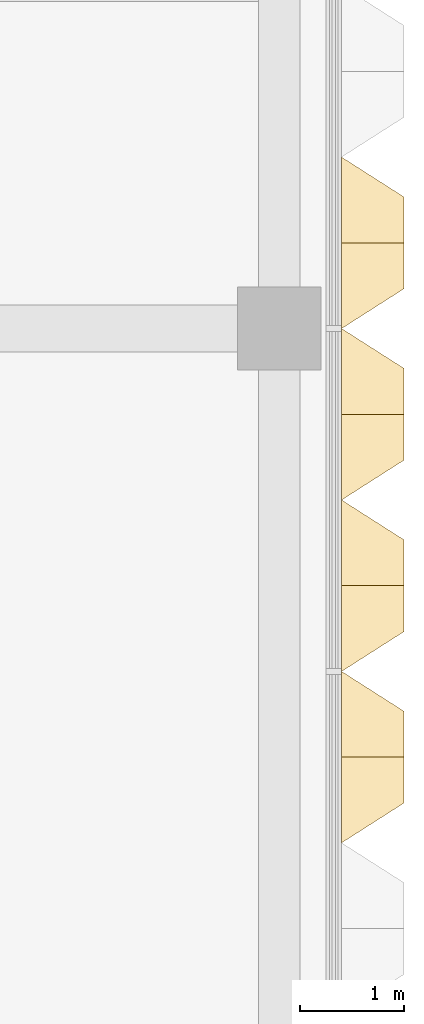
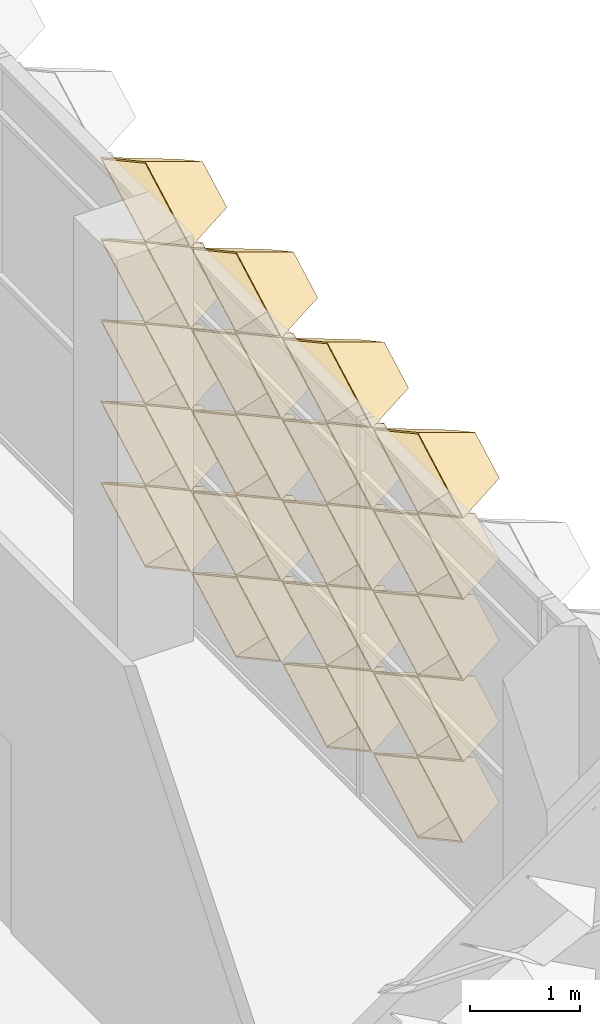
# One storey, part 32 of 39: 20 coverings.
"""IFC4 building model written with IfcOpenShell, lengths in metres."""

import ifcopenshell
import ifcopenshell.guid

model = None  # the IFC model being written
_history = None  # IfcOwnerHistory: only IFC2X3 demands one
_inside = {}  # id of a spatial element -> (the spatial element, [elements in it])
_under = {}  # id of a project, library or spatial element -> (it, [spatial elements below it])
_declared = {}  # id of a project -> (the project, [libraries it declares])
_typed = {}  # id of a type object -> (the type object, [elements of that type])
_made_of = {}  # id of a material, layer set ... -> (it, [elements and type objects made of it])


def new_model(schema):
    """Start an empty IFC model of exactly this schema.

    Asked for "IFC4X3", IfcOpenShell would pick the latest addendum, in which some entities
    have other attributes; the version numbers below select the first issue.
    IFC2X3 requires an IfcOwnerHistory on every rooted entity: one is made here for all.
    """
    global model, _history
    if schema == "IFC4X3":
        model = ifcopenshell.file(schema_version=(4, 3, 0, 0))
    else:
        model = ifcopenshell.file(schema=schema)
    _inside.clear()
    _under.clear()
    _declared.clear()
    _typed.clear()
    _made_of.clear()
    _history = None
    if model.schema == "IFC2X3":
        org = make("IfcOrganization", Name="unknown")
        user = make(
            "IfcPersonAndOrganization",
            ThePerson=make("IfcPerson", FamilyName="unknown"),
            TheOrganization=org,
        )
        app = make(
            "IfcApplication",
            ApplicationDeveloper=org,
            Version="unknown",
            ApplicationFullName="unknown",
            ApplicationIdentifier="unknown",
        )
        _history = make(
            "IfcOwnerHistory",
            OwningUser=user,
            OwningApplication=app,
            ChangeAction="ADDED",
            CreationDate=0,
        )
    return model


def make(cls, **values):
    """One entity of the class cls with the attributes given. An attribute that is None is left unset."""
    return model.create_entity(
        cls, **{name: value for name, value in values.items() if value is not None}
    )


def entity(cls, *values):
    """Any entity or typed value of the class cls, its attributes in the order of the schema. None: left unset."""
    e = model.create_entity(cls)
    for i, value in enumerate(values):
        if value is not None:
            e[i] = value
    return e


def rooted(cls, **values):
    """An entity with a GlobalId (a new one), such as an element, a storey or a relation."""
    return make(cls, GlobalId=ifcopenshell.guid.new(), OwnerHistory=_history, **values)


def si_unit(unit_type, name, prefix=None):
    """IfcSIUnit, for example si_unit("LENGTHUNIT", "METRE", prefix="MILLI")."""
    return make("IfcSIUnit", UnitType=unit_type, Prefix=prefix, Name=name)


def assignment(units):
    """IfcUnitAssignment: the units of a project."""
    return None if units is None else make("IfcUnitAssignment", Units=units)


def point(xyz):
    """IfcCartesianPoint."""
    return None if xyz is None else make("IfcCartesianPoint", Coordinates=xyz)


def direction(xyz):
    """IfcDirection."""
    return None if xyz is None else make("IfcDirection", DirectionRatios=xyz)


def frame(location, z_axis=None, x_axis=None):
    """IfcAxis2Placement3D, a coordinate frame: its origin and axes. An axis left out is left unset."""
    return make(
        "IfcAxis2Placement3D",
        Location=point(location),
        Axis=direction(z_axis),
        RefDirection=direction(x_axis),
    )


def origin():
    """The frame at (0, 0, 0) with its axes left unset."""
    return frame((0.0, 0.0, 0.0))


def place(relative_to, where):
    """IfcLocalPlacement: puts the frame where relative to a parent placement (None: the world)."""
    return make(
        "IfcLocalPlacement", PlacementRelTo=relative_to, RelativePlacement=where
    )


def context(
    kind, dimensions, precision=None, world=None, true_north=None, identifier=None
):
    """IfcGeometricRepresentationContext, for example the 3D "Model" context."""
    return make(
        "IfcGeometricRepresentationContext",
        ContextIdentifier=identifier,
        ContextType=kind,
        CoordinateSpaceDimension=dimensions,
        Precision=precision,
        WorldCoordinateSystem=world,
        TrueNorth=true_north,
    )


def subcontext(parent, identifier, kind, view, scale=None):
    """IfcGeometricRepresentationSubContext, for example "Body" below "Model"."""
    return make(
        "IfcGeometricRepresentationSubContext",
        ContextIdentifier=identifier,
        ContextType=kind,
        ParentContext=parent,
        TargetScale=scale,
        TargetView=view,
    )


def project(units=None, contexts=None):
    """IfcProject with its units and contexts."""
    return rooted(
        "IfcProject",
        Name="project",
        RepresentationContexts=contexts,
        UnitsInContext=assignment(units),
    )


def spatial(cls, under=None, at=None, **own):
    """A site, building, storey or space (cls), placed at a placement, below another one or the project."""
    s = rooted(cls, ObjectPlacement=at, **own)
    if under is not None:
        _under.setdefault(under.id(), (under, []))[1].append(s)
    return s


def shape(context_of_items, identifier, shape_type, items):
    """IfcShapeRepresentation: the items that make up one representation, for example the "Body"."""
    return make(
        "IfcShapeRepresentation",
        ContextOfItems=context_of_items,
        RepresentationIdentifier=identifier,
        RepresentationType=shape_type,
        Items=items,
    )


def material(Name=None, Category=None):
    """IfcMaterial."""
    return make("IfcMaterial", Name=Name, Category=Category)


def layer(
    of_material, thickness, ventilated=None, Name=None, Category=None, Priority=None
):
    """IfcMaterialLayer: one layer of a wall or slab, of a material (None: an air gap)."""
    return make(
        "IfcMaterialLayer",
        Material=of_material,
        LayerThickness=thickness,
        IsVentilated=ventilated,
        Name=Name,
        Category=Category,
        Priority=Priority,
    )


def layer_set(layers, Name=None):
    """IfcMaterialLayerSet."""
    return make("IfcMaterialLayerSet", MaterialLayers=layers, LayerSetName=Name)


def made_of(thing, what):
    """Note that an element or type object is made of a material, layer set ...; save() writes the relation."""
    if what is not None:
        _made_of.setdefault(what.id(), (what, []))[1].append(thing)
    return thing


def type_object(cls, material=None, **own):
    """A type object (cls), such as IfcWallType, which elements share."""
    return made_of(rooted(cls, **own), material)


def element(
    cls,
    number,
    at=None,
    inside=None,
    cuts=None,
    type_object=None,
    material=None,
    context=None,
    identifier="Body",
    shape_type=None,
    held_by="IfcProductDefinitionShape",
    body=None,
    shapes=None,
    **own,
):
    """One element of the class cls, such as IfcWall. Its Tag is "e" and its number.

    at: its placement. inside: the storey or other place that contains it. cuts: it is an
    opening in that element (IfcRelVoidsElement). A single representation is given by context,
    identifier, shape_type and body (its items); several are given by shapes. held_by: the class
    of the entity that holds the representations. save() writes the other relations.
    """
    e = rooted(cls, Tag="e%d" % number, ObjectPlacement=at, **own)
    if body is not None:
        shapes = [shape(context, identifier, shape_type, body)]
    if shapes is not None:
        e.Representation = make(held_by, Representations=shapes)
    if inside is not None:
        _inside.setdefault(inside.id(), (inside, []))[1].append(e)
    if cuts is not None:
        rooted(
            "IfcRelVoidsElement", RelatingBuildingElement=cuts, RelatedOpeningElement=e
        )
    if type_object is not None:
        _typed.setdefault(type_object.id(), (type_object, []))[1].append(e)
    return made_of(e, material)


def aggregate(whole, parts):
    """IfcRelAggregates: a whole, such as a stair, and the parts it consists of."""
    return rooted("IfcRelAggregates", RelatingObject=whole, RelatedObjects=parts)


def save(model, path):
    """Write the relations noted so far, then the file.

    IfcRelAggregates (storeys below a building ...), IfcRelContainedInSpatialStructure (elements
    in a storey), IfcRelDefinesByType, IfcRelAssociatesMaterial and IfcRelDeclares: one each for
    every whole, place, type object, material and project.
    """
    for whole, parts in _under.values():
        aggregate(whole, parts)
    for where, things in _inside.values():
        rooted(
            "IfcRelContainedInSpatialStructure",
            RelatedElements=things,
            RelatingStructure=where,
        )
    for kind, things in _typed.values():
        rooted("IfcRelDefinesByType", RelatedObjects=things, RelatingType=kind)
    for what, things in _made_of.values():
        rooted("IfcRelAssociatesMaterial", RelatedObjects=things, RelatingMaterial=what)
    for by, libraries in _declared.values():
        rooted("IfcRelDeclares", RelatingContext=by, RelatedDefinitions=libraries)
    model.write(path)


model = new_model("IFC4")

# Units and contexts
model_context = context("Model", 3, precision=1e-05, world=origin(), true_north=direction((0.0, 1.0)))
body_context = subcontext(model_context, "Body", "Model", "MODEL_VIEW")
ifc_project = project(units=[si_unit("LENGTHUNIT", "METRE"), si_unit("AREAUNIT", "SQUARE_METRE"), si_unit("VOLUMEUNIT", "CUBIC_METRE"), si_unit("PLANEANGLEUNIT", "RADIAN"), si_unit("MASSUNIT", "GRAM", prefix="KILO")], contexts=[model_context])

# Site, building, storey
site_placement = place(None, origin())
site = spatial("IfcSite", under=ifc_project, at=site_placement, CompositionType="ELEMENT")
building_placement = place(site_placement, origin())
building = spatial("IfcBuilding", under=site, at=building_placement, Name="Lantern Court Research Institute", CompositionType="ELEMENT")
storey_placement = place(building_placement, frame((0.0, 0.0, 27.89990234375)))
storey = spatial("IfcBuildingStorey", under=building, at=storey_placement, Name="L06", CompositionType="ELEMENT", Elevation=27.89990234375)

# Coverings
ifc_material = material(Name="Anodised aluminium", Category="aluminium")
ifc_layer = layer(ifc_material, 0.01611328125)
ifc_layer_set = layer_set([ifc_layer], Name="Anodised aluminium")
covering_type = type_object("IfcCoveringType", Name="Fin cassette 1650 x 900 x 600 aluminium", PredefinedType="CLADDING", material=ifc_layer_set)
covering_1_placement = place(storey_placement, frame((79.800048828125, -4.125, 0.4501953125), z_axis=(1.0, 0.0, 0.0), x_axis=(0.0, 1.0, 0.0)))
cartesian_point_1 = entity("IfcCartesianPoint", [0.824951171875, 0.0])
cartesian_point_2 = entity("IfcCartesianPoint", [0.79150390625, 0.0])
cartesian_point_3 = entity("IfcCartesianPoint", [0.44189453125, 0.0])
cartesian_point_4 = entity("IfcCartesianPoint", [0.43359375, 0.0])
element("IfcCovering", 1, at=covering_1_placement, inside=storey, type_object=covering_type, Name="Fin cassette V5E-L06 1.-2", PredefinedType="CLADDING", context=body_context, shape_type="SweptSolid", body=[
    entity("IfcExtrudedAreaSolidTapered", entity("IfcArbitraryProfileDefWithVoids", "AREA", None, entity("IfcPolyline", [cartesian_point_1, entity("IfcCartesianPoint", [0.0, 0.449951171875]), entity("IfcCartesianPoint", [-0.824951171875, 0.0]), entity("IfcCartesianPoint", [0.0, -0.449951171875]), cartesian_point_1]), [entity("IfcPolyline", [cartesian_point_2, entity("IfcCartesianPoint", [0.0, 0.431884765625]), entity("IfcCartesianPoint", [-0.79150390625, 0.0]), entity("IfcCartesianPoint", [0.0, -0.431884765625]), cartesian_point_2])]), entity("IfcAxis2Placement3D", entity("IfcCartesianPoint", [0.0, 0.0, 0.0])), entity("IfcDirection", [0.0, 0.0, 1.0]), 0.60009765625, entity("IfcArbitraryProfileDefWithVoids", "AREA", None, entity("IfcPolyline", [cartesian_point_3, entity("IfcCartesianPoint", [0.0, 0.240966796875]), entity("IfcCartesianPoint", [-0.44189453125, 0.0]), entity("IfcCartesianPoint", [0.0, -0.240966796875]), cartesian_point_3]), [entity("IfcPolyline", [cartesian_point_4, entity("IfcCartesianPoint", [0.0, 0.236572265625]), entity("IfcCartesianPoint", [-0.43359375, 0.0]), entity("IfcCartesianPoint", [0.0, -0.236572265625]), cartesian_point_4])])),
])
covering_2_placement = place(storey_placement, frame((79.800048828125, -2.47509765625, 0.4501953125), z_axis=(1.0, 0.0, 0.0), x_axis=(0.0, 1.0, 0.0)))
cartesian_point_5 = entity("IfcCartesianPoint", [0.824951171875, 0.0])
cartesian_point_6 = entity("IfcCartesianPoint", [0.79150390625, 0.0])
cartesian_point_7 = entity("IfcCartesianPoint", [0.44189453125, 0.0])
cartesian_point_8 = entity("IfcCartesianPoint", [0.43359375, 0.0])
element("IfcCovering", 2, at=covering_2_placement, inside=storey, type_object=covering_type, Name="Fin cassette V5E-L06 1.-1", PredefinedType="CLADDING", context=body_context, shape_type="SweptSolid", body=[
    entity("IfcExtrudedAreaSolidTapered", entity("IfcArbitraryProfileDefWithVoids", "AREA", None, entity("IfcPolyline", [cartesian_point_5, entity("IfcCartesianPoint", [0.0, 0.449951171875]), entity("IfcCartesianPoint", [-0.824951171875, 0.0]), entity("IfcCartesianPoint", [0.0, -0.449951171875]), cartesian_point_5]), [entity("IfcPolyline", [cartesian_point_6, entity("IfcCartesianPoint", [0.0, 0.431884765625]), entity("IfcCartesianPoint", [-0.79150390625, 0.0]), entity("IfcCartesianPoint", [0.0, -0.431884765625]), cartesian_point_6])]), entity("IfcAxis2Placement3D", entity("IfcCartesianPoint", [0.0, 0.0, 0.0])), entity("IfcDirection", [0.0, 0.0, 1.0]), 0.60009765625, entity("IfcArbitraryProfileDefWithVoids", "AREA", None, entity("IfcPolyline", [cartesian_point_7, entity("IfcCartesianPoint", [0.0, 0.240966796875]), entity("IfcCartesianPoint", [-0.44189453125, 0.0]), entity("IfcCartesianPoint", [0.0, -0.240966796875]), cartesian_point_7]), [entity("IfcPolyline", [cartesian_point_8, entity("IfcCartesianPoint", [0.0, 0.236572265625]), entity("IfcCartesianPoint", [-0.43359375, 0.0]), entity("IfcCartesianPoint", [0.0, -0.236572265625]), cartesian_point_8])])),
])
covering_3_placement = place(storey_placement, frame((79.800048828125, -0.824951171875, 0.4501953125), z_axis=(1.0, 0.0, 0.0), x_axis=(0.0, 1.0, 0.0)))
cartesian_point_9 = entity("IfcCartesianPoint", [0.824951171875, 0.0])
cartesian_point_10 = entity("IfcCartesianPoint", [0.79150390625, 0.0])
cartesian_point_11 = entity("IfcCartesianPoint", [0.44189453125, 0.0])
cartesian_point_12 = entity("IfcCartesianPoint", [0.43359375, 0.0])
element("IfcCovering", 3, at=covering_3_placement, inside=storey, type_object=covering_type, Name="Fin cassette V5E-L06 1.0", PredefinedType="CLADDING", context=body_context, shape_type="SweptSolid", body=[
    entity("IfcExtrudedAreaSolidTapered", entity("IfcArbitraryProfileDefWithVoids", "AREA", None, entity("IfcPolyline", [cartesian_point_9, entity("IfcCartesianPoint", [0.0, 0.449951171875]), entity("IfcCartesianPoint", [-0.824951171875, 0.0]), entity("IfcCartesianPoint", [0.0, -0.449951171875]), cartesian_point_9]), [entity("IfcPolyline", [cartesian_point_10, entity("IfcCartesianPoint", [0.0, 0.431884765625]), entity("IfcCartesianPoint", [-0.79150390625, 0.0]), entity("IfcCartesianPoint", [0.0, -0.431884765625]), cartesian_point_10])]), entity("IfcAxis2Placement3D", entity("IfcCartesianPoint", [0.0, 0.0, 0.0])), entity("IfcDirection", [0.0, 0.0, 1.0]), 0.60009765625, entity("IfcArbitraryProfileDefWithVoids", "AREA", None, entity("IfcPolyline", [cartesian_point_11, entity("IfcCartesianPoint", [0.0, 0.240966796875]), entity("IfcCartesianPoint", [-0.44189453125, 0.0]), entity("IfcCartesianPoint", [0.0, -0.240966796875]), cartesian_point_11]), [entity("IfcPolyline", [cartesian_point_12, entity("IfcCartesianPoint", [0.0, 0.236572265625]), entity("IfcCartesianPoint", [-0.43359375, 0.0]), entity("IfcCartesianPoint", [0.0, -0.236572265625]), cartesian_point_12])])),
])
covering_4_placement = place(storey_placement, frame((79.800048828125, 0.824951171875, 0.4501953125), z_axis=(1.0, 0.0, 0.0), x_axis=(0.0, 1.0, 0.0)))
cartesian_point_13 = entity("IfcCartesianPoint", [0.824951171875, 0.0])
cartesian_point_14 = entity("IfcCartesianPoint", [0.79150390625, 0.0])
cartesian_point_15 = entity("IfcCartesianPoint", [0.44189453125, 0.0])
cartesian_point_16 = entity("IfcCartesianPoint", [0.43359375, 0.0])
element("IfcCovering", 4, at=covering_4_placement, inside=storey, type_object=covering_type, Name="Fin cassette V5E-L06 1.1", PredefinedType="CLADDING", context=body_context, shape_type="SweptSolid", body=[
    entity("IfcExtrudedAreaSolidTapered", entity("IfcArbitraryProfileDefWithVoids", "AREA", None, entity("IfcPolyline", [cartesian_point_13, entity("IfcCartesianPoint", [0.0, 0.449951171875]), entity("IfcCartesianPoint", [-0.824951171875, 0.0]), entity("IfcCartesianPoint", [0.0, -0.449951171875]), cartesian_point_13]), [entity("IfcPolyline", [cartesian_point_14, entity("IfcCartesianPoint", [0.0, 0.431884765625]), entity("IfcCartesianPoint", [-0.79150390625, 0.0]), entity("IfcCartesianPoint", [0.0, -0.431884765625]), cartesian_point_14])]), entity("IfcAxis2Placement3D", entity("IfcCartesianPoint", [0.0, 0.0, 0.0])), entity("IfcDirection", [0.0, 0.0, 1.0]), 0.60009765625, entity("IfcArbitraryProfileDefWithVoids", "AREA", None, entity("IfcPolyline", [cartesian_point_15, entity("IfcCartesianPoint", [0.0, 0.240966796875]), entity("IfcCartesianPoint", [-0.44189453125, 0.0]), entity("IfcCartesianPoint", [0.0, -0.240966796875]), cartesian_point_15]), [entity("IfcPolyline", [cartesian_point_16, entity("IfcCartesianPoint", [0.0, 0.236572265625]), entity("IfcCartesianPoint", [-0.43359375, 0.0]), entity("IfcCartesianPoint", [0.0, -0.236572265625]), cartesian_point_16])])),
])
covering_5_placement = place(storey_placement, frame((79.800048828125, -4.125, 1.35009765625), z_axis=(1.0, 0.0, 0.0), x_axis=(0.0, 1.0, 0.0)))
cartesian_point_17 = entity("IfcCartesianPoint", [0.824951171875, 0.0])
cartesian_point_18 = entity("IfcCartesianPoint", [0.79150390625, 0.0])
cartesian_point_19 = entity("IfcCartesianPoint", [0.44189453125, 0.0])
cartesian_point_20 = entity("IfcCartesianPoint", [0.43359375, 0.0])
element("IfcCovering", 5, at=covering_5_placement, inside=storey, type_object=covering_type, Name="Fin cassette V5E-L06 2.-2", PredefinedType="CLADDING", context=body_context, shape_type="SweptSolid", body=[
    entity("IfcExtrudedAreaSolidTapered", entity("IfcArbitraryProfileDefWithVoids", "AREA", None, entity("IfcPolyline", [cartesian_point_17, entity("IfcCartesianPoint", [0.0, 0.449951171875]), entity("IfcCartesianPoint", [-0.824951171875, 0.0]), entity("IfcCartesianPoint", [0.0, -0.449951171875]), cartesian_point_17]), [entity("IfcPolyline", [cartesian_point_18, entity("IfcCartesianPoint", [0.0, 0.431884765625]), entity("IfcCartesianPoint", [-0.79150390625, 0.0]), entity("IfcCartesianPoint", [0.0, -0.431884765625]), cartesian_point_18])]), entity("IfcAxis2Placement3D", entity("IfcCartesianPoint", [0.0, 0.0, 0.0])), entity("IfcDirection", [0.0, 0.0, 1.0]), 0.60009765625, entity("IfcArbitraryProfileDefWithVoids", "AREA", None, entity("IfcPolyline", [cartesian_point_19, entity("IfcCartesianPoint", [0.0, 0.240966796875]), entity("IfcCartesianPoint", [-0.44189453125, 0.0]), entity("IfcCartesianPoint", [0.0, -0.240966796875]), cartesian_point_19]), [entity("IfcPolyline", [cartesian_point_20, entity("IfcCartesianPoint", [0.0, 0.236572265625]), entity("IfcCartesianPoint", [-0.43359375, 0.0]), entity("IfcCartesianPoint", [0.0, -0.236572265625]), cartesian_point_20])])),
])
covering_6_placement = place(storey_placement, frame((79.800048828125, -2.47509765625, 1.35009765625), z_axis=(1.0, 0.0, 0.0), x_axis=(0.0, 1.0, 0.0)))
cartesian_point_21 = entity("IfcCartesianPoint", [0.824951171875, 0.0])
cartesian_point_22 = entity("IfcCartesianPoint", [0.79150390625, 0.0])
cartesian_point_23 = entity("IfcCartesianPoint", [0.44189453125, 0.0])
cartesian_point_24 = entity("IfcCartesianPoint", [0.43359375, 0.0])
element("IfcCovering", 6, at=covering_6_placement, inside=storey, type_object=covering_type, Name="Fin cassette V5E-L06 2.-1", PredefinedType="CLADDING", context=body_context, shape_type="SweptSolid", body=[
    entity("IfcExtrudedAreaSolidTapered", entity("IfcArbitraryProfileDefWithVoids", "AREA", None, entity("IfcPolyline", [cartesian_point_21, entity("IfcCartesianPoint", [0.0, 0.449951171875]), entity("IfcCartesianPoint", [-0.824951171875, 0.0]), entity("IfcCartesianPoint", [0.0, -0.449951171875]), cartesian_point_21]), [entity("IfcPolyline", [cartesian_point_22, entity("IfcCartesianPoint", [0.0, 0.431884765625]), entity("IfcCartesianPoint", [-0.79150390625, 0.0]), entity("IfcCartesianPoint", [0.0, -0.431884765625]), cartesian_point_22])]), entity("IfcAxis2Placement3D", entity("IfcCartesianPoint", [0.0, 0.0, 0.0])), entity("IfcDirection", [0.0, 0.0, 1.0]), 0.60009765625, entity("IfcArbitraryProfileDefWithVoids", "AREA", None, entity("IfcPolyline", [cartesian_point_23, entity("IfcCartesianPoint", [0.0, 0.240966796875]), entity("IfcCartesianPoint", [-0.44189453125, 0.0]), entity("IfcCartesianPoint", [0.0, -0.240966796875]), cartesian_point_23]), [entity("IfcPolyline", [cartesian_point_24, entity("IfcCartesianPoint", [0.0, 0.236572265625]), entity("IfcCartesianPoint", [-0.43359375, 0.0]), entity("IfcCartesianPoint", [0.0, -0.236572265625]), cartesian_point_24])])),
])
covering_7_placement = place(storey_placement, frame((79.800048828125, -0.824951171875, 1.35009765625), z_axis=(1.0, 0.0, 0.0), x_axis=(0.0, 1.0, 0.0)))
cartesian_point_25 = entity("IfcCartesianPoint", [0.824951171875, 0.0])
cartesian_point_26 = entity("IfcCartesianPoint", [0.79150390625, 0.0])
cartesian_point_27 = entity("IfcCartesianPoint", [0.44189453125, 0.0])
cartesian_point_28 = entity("IfcCartesianPoint", [0.43359375, 0.0])
element("IfcCovering", 7, at=covering_7_placement, inside=storey, type_object=covering_type, Name="Fin cassette V5E-L06 2.0", PredefinedType="CLADDING", context=body_context, shape_type="SweptSolid", body=[
    entity("IfcExtrudedAreaSolidTapered", entity("IfcArbitraryProfileDefWithVoids", "AREA", None, entity("IfcPolyline", [cartesian_point_25, entity("IfcCartesianPoint", [0.0, 0.449951171875]), entity("IfcCartesianPoint", [-0.824951171875, 0.0]), entity("IfcCartesianPoint", [0.0, -0.449951171875]), cartesian_point_25]), [entity("IfcPolyline", [cartesian_point_26, entity("IfcCartesianPoint", [0.0, 0.431884765625]), entity("IfcCartesianPoint", [-0.79150390625, 0.0]), entity("IfcCartesianPoint", [0.0, -0.431884765625]), cartesian_point_26])]), entity("IfcAxis2Placement3D", entity("IfcCartesianPoint", [0.0, 0.0, 0.0])), entity("IfcDirection", [0.0, 0.0, 1.0]), 0.60009765625, entity("IfcArbitraryProfileDefWithVoids", "AREA", None, entity("IfcPolyline", [cartesian_point_27, entity("IfcCartesianPoint", [0.0, 0.240966796875]), entity("IfcCartesianPoint", [-0.44189453125, 0.0]), entity("IfcCartesianPoint", [0.0, -0.240966796875]), cartesian_point_27]), [entity("IfcPolyline", [cartesian_point_28, entity("IfcCartesianPoint", [0.0, 0.236572265625]), entity("IfcCartesianPoint", [-0.43359375, 0.0]), entity("IfcCartesianPoint", [0.0, -0.236572265625]), cartesian_point_28])])),
])
covering_8_placement = place(storey_placement, frame((79.800048828125, 0.824951171875, 1.35009765625), z_axis=(1.0, 0.0, 0.0), x_axis=(0.0, 1.0, 0.0)))
cartesian_point_29 = entity("IfcCartesianPoint", [0.824951171875, 0.0])
cartesian_point_30 = entity("IfcCartesianPoint", [0.79150390625, 0.0])
cartesian_point_31 = entity("IfcCartesianPoint", [0.44189453125, 0.0])
cartesian_point_32 = entity("IfcCartesianPoint", [0.43359375, 0.0])
element("IfcCovering", 8, at=covering_8_placement, inside=storey, type_object=covering_type, Name="Fin cassette V5E-L06 2.1", PredefinedType="CLADDING", context=body_context, shape_type="SweptSolid", body=[
    entity("IfcExtrudedAreaSolidTapered", entity("IfcArbitraryProfileDefWithVoids", "AREA", None, entity("IfcPolyline", [cartesian_point_29, entity("IfcCartesianPoint", [0.0, 0.449951171875]), entity("IfcCartesianPoint", [-0.824951171875, 0.0]), entity("IfcCartesianPoint", [0.0, -0.449951171875]), cartesian_point_29]), [entity("IfcPolyline", [cartesian_point_30, entity("IfcCartesianPoint", [0.0, 0.431884765625]), entity("IfcCartesianPoint", [-0.79150390625, 0.0]), entity("IfcCartesianPoint", [0.0, -0.431884765625]), cartesian_point_30])]), entity("IfcAxis2Placement3D", entity("IfcCartesianPoint", [0.0, 0.0, 0.0])), entity("IfcDirection", [0.0, 0.0, 1.0]), 0.60009765625, entity("IfcArbitraryProfileDefWithVoids", "AREA", None, entity("IfcPolyline", [cartesian_point_31, entity("IfcCartesianPoint", [0.0, 0.240966796875]), entity("IfcCartesianPoint", [-0.44189453125, 0.0]), entity("IfcCartesianPoint", [0.0, -0.240966796875]), cartesian_point_31]), [entity("IfcPolyline", [cartesian_point_32, entity("IfcCartesianPoint", [0.0, 0.236572265625]), entity("IfcCartesianPoint", [-0.43359375, 0.0]), entity("IfcCartesianPoint", [0.0, -0.236572265625]), cartesian_point_32])])),
])
covering_9_placement = place(storey_placement, frame((79.800048828125, -4.125, 2.25), z_axis=(1.0, 0.0, 0.0), x_axis=(0.0, 1.0, 0.0)))
cartesian_point_33 = entity("IfcCartesianPoint", [0.824951171875, 0.0])
cartesian_point_34 = entity("IfcCartesianPoint", [0.79150390625, 0.0])
cartesian_point_35 = entity("IfcCartesianPoint", [0.44189453125, 0.0])
cartesian_point_36 = entity("IfcCartesianPoint", [0.43359375, 0.0])
element("IfcCovering", 9, at=covering_9_placement, inside=storey, type_object=covering_type, Name="Fin cassette V5E-L06 3.-2", PredefinedType="CLADDING", context=body_context, shape_type="SweptSolid", body=[
    entity("IfcExtrudedAreaSolidTapered", entity("IfcArbitraryProfileDefWithVoids", "AREA", None, entity("IfcPolyline", [cartesian_point_33, entity("IfcCartesianPoint", [0.0, 0.449951171875]), entity("IfcCartesianPoint", [-0.824951171875, 0.0]), entity("IfcCartesianPoint", [0.0, -0.449951171875]), cartesian_point_33]), [entity("IfcPolyline", [cartesian_point_34, entity("IfcCartesianPoint", [0.0, 0.431884765625]), entity("IfcCartesianPoint", [-0.79150390625, 0.0]), entity("IfcCartesianPoint", [0.0, -0.431884765625]), cartesian_point_34])]), entity("IfcAxis2Placement3D", entity("IfcCartesianPoint", [0.0, 0.0, 0.0])), entity("IfcDirection", [0.0, 0.0, 1.0]), 0.60009765625, entity("IfcArbitraryProfileDefWithVoids", "AREA", None, entity("IfcPolyline", [cartesian_point_35, entity("IfcCartesianPoint", [0.0, 0.240966796875]), entity("IfcCartesianPoint", [-0.44189453125, 0.0]), entity("IfcCartesianPoint", [0.0, -0.240966796875]), cartesian_point_35]), [entity("IfcPolyline", [cartesian_point_36, entity("IfcCartesianPoint", [0.0, 0.236572265625]), entity("IfcCartesianPoint", [-0.43359375, 0.0]), entity("IfcCartesianPoint", [0.0, -0.236572265625]), cartesian_point_36])])),
])
covering_10_placement = place(storey_placement, frame((79.800048828125, -2.47509765625, 2.25), z_axis=(1.0, 0.0, 0.0), x_axis=(0.0, 1.0, 0.0)))
cartesian_point_37 = entity("IfcCartesianPoint", [0.824951171875, 0.0])
cartesian_point_38 = entity("IfcCartesianPoint", [0.79150390625, 0.0])
cartesian_point_39 = entity("IfcCartesianPoint", [0.44189453125, 0.0])
cartesian_point_40 = entity("IfcCartesianPoint", [0.43359375, 0.0])
element("IfcCovering", 10, at=covering_10_placement, inside=storey, type_object=covering_type, Name="Fin cassette V5E-L06 3.-1", PredefinedType="CLADDING", context=body_context, shape_type="SweptSolid", body=[
    entity("IfcExtrudedAreaSolidTapered", entity("IfcArbitraryProfileDefWithVoids", "AREA", None, entity("IfcPolyline", [cartesian_point_37, entity("IfcCartesianPoint", [0.0, 0.449951171875]), entity("IfcCartesianPoint", [-0.824951171875, 0.0]), entity("IfcCartesianPoint", [0.0, -0.449951171875]), cartesian_point_37]), [entity("IfcPolyline", [cartesian_point_38, entity("IfcCartesianPoint", [0.0, 0.431884765625]), entity("IfcCartesianPoint", [-0.79150390625, 0.0]), entity("IfcCartesianPoint", [0.0, -0.431884765625]), cartesian_point_38])]), entity("IfcAxis2Placement3D", entity("IfcCartesianPoint", [0.0, 0.0, 0.0])), entity("IfcDirection", [0.0, 0.0, 1.0]), 0.60009765625, entity("IfcArbitraryProfileDefWithVoids", "AREA", None, entity("IfcPolyline", [cartesian_point_39, entity("IfcCartesianPoint", [0.0, 0.240966796875]), entity("IfcCartesianPoint", [-0.44189453125, 0.0]), entity("IfcCartesianPoint", [0.0, -0.240966796875]), cartesian_point_39]), [entity("IfcPolyline", [cartesian_point_40, entity("IfcCartesianPoint", [0.0, 0.236572265625]), entity("IfcCartesianPoint", [-0.43359375, 0.0]), entity("IfcCartesianPoint", [0.0, -0.236572265625]), cartesian_point_40])])),
])
covering_11_placement = place(storey_placement, frame((79.800048828125, -0.824951171875, 2.25), z_axis=(1.0, 0.0, 0.0), x_axis=(0.0, 1.0, 0.0)))
cartesian_point_41 = entity("IfcCartesianPoint", [0.824951171875, 0.0])
cartesian_point_42 = entity("IfcCartesianPoint", [0.79150390625, 0.0])
cartesian_point_43 = entity("IfcCartesianPoint", [0.44189453125, 0.0])
cartesian_point_44 = entity("IfcCartesianPoint", [0.43359375, 0.0])
element("IfcCovering", 11, at=covering_11_placement, inside=storey, type_object=covering_type, Name="Fin cassette V5E-L06 3.0", PredefinedType="CLADDING", context=body_context, shape_type="SweptSolid", body=[
    entity("IfcExtrudedAreaSolidTapered", entity("IfcArbitraryProfileDefWithVoids", "AREA", None, entity("IfcPolyline", [cartesian_point_41, entity("IfcCartesianPoint", [0.0, 0.449951171875]), entity("IfcCartesianPoint", [-0.824951171875, 0.0]), entity("IfcCartesianPoint", [0.0, -0.449951171875]), cartesian_point_41]), [entity("IfcPolyline", [cartesian_point_42, entity("IfcCartesianPoint", [0.0, 0.431884765625]), entity("IfcCartesianPoint", [-0.79150390625, 0.0]), entity("IfcCartesianPoint", [0.0, -0.431884765625]), cartesian_point_42])]), entity("IfcAxis2Placement3D", entity("IfcCartesianPoint", [0.0, 0.0, 0.0])), entity("IfcDirection", [0.0, 0.0, 1.0]), 0.60009765625, entity("IfcArbitraryProfileDefWithVoids", "AREA", None, entity("IfcPolyline", [cartesian_point_43, entity("IfcCartesianPoint", [0.0, 0.240966796875]), entity("IfcCartesianPoint", [-0.44189453125, 0.0]), entity("IfcCartesianPoint", [0.0, -0.240966796875]), cartesian_point_43]), [entity("IfcPolyline", [cartesian_point_44, entity("IfcCartesianPoint", [0.0, 0.236572265625]), entity("IfcCartesianPoint", [-0.43359375, 0.0]), entity("IfcCartesianPoint", [0.0, -0.236572265625]), cartesian_point_44])])),
])
covering_12_placement = place(storey_placement, frame((79.800048828125, 0.824951171875, 2.25), z_axis=(1.0, 0.0, 0.0), x_axis=(0.0, 1.0, 0.0)))
cartesian_point_45 = entity("IfcCartesianPoint", [0.824951171875, 0.0])
cartesian_point_46 = entity("IfcCartesianPoint", [0.79150390625, 0.0])
cartesian_point_47 = entity("IfcCartesianPoint", [0.44189453125, 0.0])
cartesian_point_48 = entity("IfcCartesianPoint", [0.43359375, 0.0])
element("IfcCovering", 12, at=covering_12_placement, inside=storey, type_object=covering_type, Name="Fin cassette V5E-L06 3.1", PredefinedType="CLADDING", context=body_context, shape_type="SweptSolid", body=[
    entity("IfcExtrudedAreaSolidTapered", entity("IfcArbitraryProfileDefWithVoids", "AREA", None, entity("IfcPolyline", [cartesian_point_45, entity("IfcCartesianPoint", [0.0, 0.449951171875]), entity("IfcCartesianPoint", [-0.824951171875, 0.0]), entity("IfcCartesianPoint", [0.0, -0.449951171875]), cartesian_point_45]), [entity("IfcPolyline", [cartesian_point_46, entity("IfcCartesianPoint", [0.0, 0.431884765625]), entity("IfcCartesianPoint", [-0.79150390625, 0.0]), entity("IfcCartesianPoint", [0.0, -0.431884765625]), cartesian_point_46])]), entity("IfcAxis2Placement3D", entity("IfcCartesianPoint", [0.0, 0.0, 0.0])), entity("IfcDirection", [0.0, 0.0, 1.0]), 0.60009765625, entity("IfcArbitraryProfileDefWithVoids", "AREA", None, entity("IfcPolyline", [cartesian_point_47, entity("IfcCartesianPoint", [0.0, 0.240966796875]), entity("IfcCartesianPoint", [-0.44189453125, 0.0]), entity("IfcCartesianPoint", [0.0, -0.240966796875]), cartesian_point_47]), [entity("IfcPolyline", [cartesian_point_48, entity("IfcCartesianPoint", [0.0, 0.236572265625]), entity("IfcCartesianPoint", [-0.43359375, 0.0]), entity("IfcCartesianPoint", [0.0, -0.236572265625]), cartesian_point_48])])),
])
covering_13_placement = place(storey_placement, frame((79.800048828125, -4.125, 3.150146484375), z_axis=(1.0, 0.0, 0.0), x_axis=(0.0, 1.0, 0.0)))
cartesian_point_49 = entity("IfcCartesianPoint", [0.824951171875, 0.0])
cartesian_point_50 = entity("IfcCartesianPoint", [0.79150390625, 0.0])
cartesian_point_51 = entity("IfcCartesianPoint", [0.44189453125, 0.0])
cartesian_point_52 = entity("IfcCartesianPoint", [0.43359375, 0.0])
element("IfcCovering", 13, at=covering_13_placement, inside=storey, type_object=covering_type, Name="Fin cassette V5E-L06 4.-2", PredefinedType="CLADDING", context=body_context, shape_type="SweptSolid", body=[
    entity("IfcExtrudedAreaSolidTapered", entity("IfcArbitraryProfileDefWithVoids", "AREA", None, entity("IfcPolyline", [cartesian_point_49, entity("IfcCartesianPoint", [0.0, 0.449951171875]), entity("IfcCartesianPoint", [-0.824951171875, 0.0]), entity("IfcCartesianPoint", [0.0, -0.449951171875]), cartesian_point_49]), [entity("IfcPolyline", [cartesian_point_50, entity("IfcCartesianPoint", [0.0, 0.431884765625]), entity("IfcCartesianPoint", [-0.79150390625, 0.0]), entity("IfcCartesianPoint", [0.0, -0.431884765625]), cartesian_point_50])]), entity("IfcAxis2Placement3D", entity("IfcCartesianPoint", [0.0, 0.0, 0.0])), entity("IfcDirection", [0.0, 0.0, 1.0]), 0.60009765625, entity("IfcArbitraryProfileDefWithVoids", "AREA", None, entity("IfcPolyline", [cartesian_point_51, entity("IfcCartesianPoint", [0.0, 0.240966796875]), entity("IfcCartesianPoint", [-0.44189453125, 0.0]), entity("IfcCartesianPoint", [0.0, -0.240966796875]), cartesian_point_51]), [entity("IfcPolyline", [cartesian_point_52, entity("IfcCartesianPoint", [0.0, 0.236572265625]), entity("IfcCartesianPoint", [-0.43359375, 0.0]), entity("IfcCartesianPoint", [0.0, -0.236572265625]), cartesian_point_52])])),
])
covering_14_placement = place(storey_placement, frame((79.800048828125, -2.47509765625, 3.150146484375), z_axis=(1.0, 0.0, 0.0), x_axis=(0.0, 1.0, 0.0)))
cartesian_point_53 = entity("IfcCartesianPoint", [0.824951171875, 0.0])
cartesian_point_54 = entity("IfcCartesianPoint", [0.79150390625, 0.0])
cartesian_point_55 = entity("IfcCartesianPoint", [0.44189453125, 0.0])
cartesian_point_56 = entity("IfcCartesianPoint", [0.43359375, 0.0])
element("IfcCovering", 14, at=covering_14_placement, inside=storey, type_object=covering_type, Name="Fin cassette V5E-L06 4.-1", PredefinedType="CLADDING", context=body_context, shape_type="SweptSolid", body=[
    entity("IfcExtrudedAreaSolidTapered", entity("IfcArbitraryProfileDefWithVoids", "AREA", None, entity("IfcPolyline", [cartesian_point_53, entity("IfcCartesianPoint", [0.0, 0.449951171875]), entity("IfcCartesianPoint", [-0.824951171875, 0.0]), entity("IfcCartesianPoint", [0.0, -0.449951171875]), cartesian_point_53]), [entity("IfcPolyline", [cartesian_point_54, entity("IfcCartesianPoint", [0.0, 0.431884765625]), entity("IfcCartesianPoint", [-0.79150390625, 0.0]), entity("IfcCartesianPoint", [0.0, -0.431884765625]), cartesian_point_54])]), entity("IfcAxis2Placement3D", entity("IfcCartesianPoint", [0.0, 0.0, 0.0])), entity("IfcDirection", [0.0, 0.0, 1.0]), 0.60009765625, entity("IfcArbitraryProfileDefWithVoids", "AREA", None, entity("IfcPolyline", [cartesian_point_55, entity("IfcCartesianPoint", [0.0, 0.240966796875]), entity("IfcCartesianPoint", [-0.44189453125, 0.0]), entity("IfcCartesianPoint", [0.0, -0.240966796875]), cartesian_point_55]), [entity("IfcPolyline", [cartesian_point_56, entity("IfcCartesianPoint", [0.0, 0.236572265625]), entity("IfcCartesianPoint", [-0.43359375, 0.0]), entity("IfcCartesianPoint", [0.0, -0.236572265625]), cartesian_point_56])])),
])
covering_15_placement = place(storey_placement, frame((79.800048828125, -0.824951171875, 3.150146484375), z_axis=(1.0, 0.0, 0.0), x_axis=(0.0, 1.0, 0.0)))
cartesian_point_57 = entity("IfcCartesianPoint", [0.824951171875, 0.0])
cartesian_point_58 = entity("IfcCartesianPoint", [0.79150390625, 0.0])
cartesian_point_59 = entity("IfcCartesianPoint", [0.44189453125, 0.0])
cartesian_point_60 = entity("IfcCartesianPoint", [0.43359375, 0.0])
element("IfcCovering", 15, at=covering_15_placement, inside=storey, type_object=covering_type, Name="Fin cassette V5E-L06 4.0", PredefinedType="CLADDING", context=body_context, shape_type="SweptSolid", body=[
    entity("IfcExtrudedAreaSolidTapered", entity("IfcArbitraryProfileDefWithVoids", "AREA", None, entity("IfcPolyline", [cartesian_point_57, entity("IfcCartesianPoint", [0.0, 0.449951171875]), entity("IfcCartesianPoint", [-0.824951171875, 0.0]), entity("IfcCartesianPoint", [0.0, -0.449951171875]), cartesian_point_57]), [entity("IfcPolyline", [cartesian_point_58, entity("IfcCartesianPoint", [0.0, 0.431884765625]), entity("IfcCartesianPoint", [-0.79150390625, 0.0]), entity("IfcCartesianPoint", [0.0, -0.431884765625]), cartesian_point_58])]), entity("IfcAxis2Placement3D", entity("IfcCartesianPoint", [0.0, 0.0, 0.0])), entity("IfcDirection", [0.0, 0.0, 1.0]), 0.60009765625, entity("IfcArbitraryProfileDefWithVoids", "AREA", None, entity("IfcPolyline", [cartesian_point_59, entity("IfcCartesianPoint", [0.0, 0.240966796875]), entity("IfcCartesianPoint", [-0.44189453125, 0.0]), entity("IfcCartesianPoint", [0.0, -0.240966796875]), cartesian_point_59]), [entity("IfcPolyline", [cartesian_point_60, entity("IfcCartesianPoint", [0.0, 0.236572265625]), entity("IfcCartesianPoint", [-0.43359375, 0.0]), entity("IfcCartesianPoint", [0.0, -0.236572265625]), cartesian_point_60])])),
])
covering_16_placement = place(storey_placement, frame((79.800048828125, 0.824951171875, 3.150146484375), z_axis=(1.0, 0.0, 0.0), x_axis=(0.0, 1.0, 0.0)))
cartesian_point_61 = entity("IfcCartesianPoint", [0.824951171875, 0.0])
cartesian_point_62 = entity("IfcCartesianPoint", [0.79150390625, 0.0])
cartesian_point_63 = entity("IfcCartesianPoint", [0.44189453125, 0.0])
cartesian_point_64 = entity("IfcCartesianPoint", [0.43359375, 0.0])
element("IfcCovering", 16, at=covering_16_placement, inside=storey, type_object=covering_type, Name="Fin cassette V5E-L06 4.1", PredefinedType="CLADDING", context=body_context, shape_type="SweptSolid", body=[
    entity("IfcExtrudedAreaSolidTapered", entity("IfcArbitraryProfileDefWithVoids", "AREA", None, entity("IfcPolyline", [cartesian_point_61, entity("IfcCartesianPoint", [0.0, 0.449951171875]), entity("IfcCartesianPoint", [-0.824951171875, 0.0]), entity("IfcCartesianPoint", [0.0, -0.449951171875]), cartesian_point_61]), [entity("IfcPolyline", [cartesian_point_62, entity("IfcCartesianPoint", [0.0, 0.431884765625]), entity("IfcCartesianPoint", [-0.79150390625, 0.0]), entity("IfcCartesianPoint", [0.0, -0.431884765625]), cartesian_point_62])]), entity("IfcAxis2Placement3D", entity("IfcCartesianPoint", [0.0, 0.0, 0.0])), entity("IfcDirection", [0.0, 0.0, 1.0]), 0.60009765625, entity("IfcArbitraryProfileDefWithVoids", "AREA", None, entity("IfcPolyline", [cartesian_point_63, entity("IfcCartesianPoint", [0.0, 0.240966796875]), entity("IfcCartesianPoint", [-0.44189453125, 0.0]), entity("IfcCartesianPoint", [0.0, -0.240966796875]), cartesian_point_63]), [entity("IfcPolyline", [cartesian_point_64, entity("IfcCartesianPoint", [0.0, 0.236572265625]), entity("IfcCartesianPoint", [-0.43359375, 0.0]), entity("IfcCartesianPoint", [0.0, -0.236572265625]), cartesian_point_64])])),
])
covering_17_placement = place(storey_placement, frame((79.800048828125, -4.125, 4.050048828125), z_axis=(1.0, 0.0, 0.0), x_axis=(0.0, 1.0, 0.0)))
cartesian_point_65 = entity("IfcCartesianPoint", [0.824951171875, 0.0])
cartesian_point_66 = entity("IfcCartesianPoint", [0.79150390625, 0.0])
cartesian_point_67 = entity("IfcCartesianPoint", [0.44189453125, 0.0])
cartesian_point_68 = entity("IfcCartesianPoint", [0.43359375, 0.0])
element("IfcCovering", 17, at=covering_17_placement, inside=storey, type_object=covering_type, Name="Fin cassette V5E-L06 5.-2", PredefinedType="CLADDING", context=body_context, shape_type="SweptSolid", body=[
    entity("IfcExtrudedAreaSolidTapered", entity("IfcArbitraryProfileDefWithVoids", "AREA", None, entity("IfcPolyline", [cartesian_point_65, entity("IfcCartesianPoint", [0.0, 0.449951171875]), entity("IfcCartesianPoint", [-0.824951171875, 0.0]), entity("IfcCartesianPoint", [0.0, -0.449951171875]), cartesian_point_65]), [entity("IfcPolyline", [cartesian_point_66, entity("IfcCartesianPoint", [0.0, 0.431884765625]), entity("IfcCartesianPoint", [-0.79150390625, 0.0]), entity("IfcCartesianPoint", [0.0, -0.431884765625]), cartesian_point_66])]), entity("IfcAxis2Placement3D", entity("IfcCartesianPoint", [0.0, 0.0, 0.0])), entity("IfcDirection", [0.0, 0.0, 1.0]), 0.60009765625, entity("IfcArbitraryProfileDefWithVoids", "AREA", None, entity("IfcPolyline", [cartesian_point_67, entity("IfcCartesianPoint", [0.0, 0.240966796875]), entity("IfcCartesianPoint", [-0.44189453125, 0.0]), entity("IfcCartesianPoint", [0.0, -0.240966796875]), cartesian_point_67]), [entity("IfcPolyline", [cartesian_point_68, entity("IfcCartesianPoint", [0.0, 0.236572265625]), entity("IfcCartesianPoint", [-0.43359375, 0.0]), entity("IfcCartesianPoint", [0.0, -0.236572265625]), cartesian_point_68])])),
])
covering_18_placement = place(storey_placement, frame((79.800048828125, -2.47509765625, 4.050048828125), z_axis=(1.0, 0.0, 0.0), x_axis=(0.0, 1.0, 0.0)))
cartesian_point_69 = entity("IfcCartesianPoint", [0.824951171875, 0.0])
cartesian_point_70 = entity("IfcCartesianPoint", [0.79150390625, 0.0])
cartesian_point_71 = entity("IfcCartesianPoint", [0.44189453125, 0.0])
cartesian_point_72 = entity("IfcCartesianPoint", [0.43359375, 0.0])
element("IfcCovering", 18, at=covering_18_placement, inside=storey, type_object=covering_type, Name="Fin cassette V5E-L06 5.-1", PredefinedType="CLADDING", context=body_context, shape_type="SweptSolid", body=[
    entity("IfcExtrudedAreaSolidTapered", entity("IfcArbitraryProfileDefWithVoids", "AREA", None, entity("IfcPolyline", [cartesian_point_69, entity("IfcCartesianPoint", [0.0, 0.449951171875]), entity("IfcCartesianPoint", [-0.824951171875, 0.0]), entity("IfcCartesianPoint", [0.0, -0.449951171875]), cartesian_point_69]), [entity("IfcPolyline", [cartesian_point_70, entity("IfcCartesianPoint", [0.0, 0.431884765625]), entity("IfcCartesianPoint", [-0.79150390625, 0.0]), entity("IfcCartesianPoint", [0.0, -0.431884765625]), cartesian_point_70])]), entity("IfcAxis2Placement3D", entity("IfcCartesianPoint", [0.0, 0.0, 0.0])), entity("IfcDirection", [0.0, 0.0, 1.0]), 0.60009765625, entity("IfcArbitraryProfileDefWithVoids", "AREA", None, entity("IfcPolyline", [cartesian_point_71, entity("IfcCartesianPoint", [0.0, 0.240966796875]), entity("IfcCartesianPoint", [-0.44189453125, 0.0]), entity("IfcCartesianPoint", [0.0, -0.240966796875]), cartesian_point_71]), [entity("IfcPolyline", [cartesian_point_72, entity("IfcCartesianPoint", [0.0, 0.236572265625]), entity("IfcCartesianPoint", [-0.43359375, 0.0]), entity("IfcCartesianPoint", [0.0, -0.236572265625]), cartesian_point_72])])),
])
covering_19_placement = place(storey_placement, frame((79.800048828125, -0.824951171875, 4.050048828125), z_axis=(1.0, 0.0, 0.0), x_axis=(0.0, 1.0, 0.0)))
cartesian_point_73 = entity("IfcCartesianPoint", [0.824951171875, 0.0])
cartesian_point_74 = entity("IfcCartesianPoint", [0.79150390625, 0.0])
cartesian_point_75 = entity("IfcCartesianPoint", [0.44189453125, 0.0])
cartesian_point_76 = entity("IfcCartesianPoint", [0.43359375, 0.0])
element("IfcCovering", 19, at=covering_19_placement, inside=storey, type_object=covering_type, Name="Fin cassette V5E-L06 5.0", PredefinedType="CLADDING", context=body_context, shape_type="SweptSolid", body=[
    entity("IfcExtrudedAreaSolidTapered", entity("IfcArbitraryProfileDefWithVoids", "AREA", None, entity("IfcPolyline", [cartesian_point_73, entity("IfcCartesianPoint", [0.0, 0.449951171875]), entity("IfcCartesianPoint", [-0.824951171875, 0.0]), entity("IfcCartesianPoint", [0.0, -0.449951171875]), cartesian_point_73]), [entity("IfcPolyline", [cartesian_point_74, entity("IfcCartesianPoint", [0.0, 0.431884765625]), entity("IfcCartesianPoint", [-0.79150390625, 0.0]), entity("IfcCartesianPoint", [0.0, -0.431884765625]), cartesian_point_74])]), entity("IfcAxis2Placement3D", entity("IfcCartesianPoint", [0.0, 0.0, 0.0])), entity("IfcDirection", [0.0, 0.0, 1.0]), 0.60009765625, entity("IfcArbitraryProfileDefWithVoids", "AREA", None, entity("IfcPolyline", [cartesian_point_75, entity("IfcCartesianPoint", [0.0, 0.240966796875]), entity("IfcCartesianPoint", [-0.44189453125, 0.0]), entity("IfcCartesianPoint", [0.0, -0.240966796875]), cartesian_point_75]), [entity("IfcPolyline", [cartesian_point_76, entity("IfcCartesianPoint", [0.0, 0.236572265625]), entity("IfcCartesianPoint", [-0.43359375, 0.0]), entity("IfcCartesianPoint", [0.0, -0.236572265625]), cartesian_point_76])])),
])
covering_20_placement = place(storey_placement, frame((79.800048828125, 0.824951171875, 4.050048828125), z_axis=(1.0, 0.0, 0.0), x_axis=(0.0, 1.0, 0.0)))
cartesian_point_77 = entity("IfcCartesianPoint", [0.824951171875, 0.0])
cartesian_point_78 = entity("IfcCartesianPoint", [0.79150390625, 0.0])
cartesian_point_79 = entity("IfcCartesianPoint", [0.44189453125, 0.0])
cartesian_point_80 = entity("IfcCartesianPoint", [0.43359375, 0.0])
element("IfcCovering", 20, at=covering_20_placement, inside=storey, type_object=covering_type, Name="Fin cassette V5E-L06 5.1", PredefinedType="CLADDING", context=body_context, shape_type="SweptSolid", body=[
    entity("IfcExtrudedAreaSolidTapered", entity("IfcArbitraryProfileDefWithVoids", "AREA", None, entity("IfcPolyline", [cartesian_point_77, entity("IfcCartesianPoint", [0.0, 0.449951171875]), entity("IfcCartesianPoint", [-0.824951171875, 0.0]), entity("IfcCartesianPoint", [0.0, -0.449951171875]), cartesian_point_77]), [entity("IfcPolyline", [cartesian_point_78, entity("IfcCartesianPoint", [0.0, 0.431884765625]), entity("IfcCartesianPoint", [-0.79150390625, 0.0]), entity("IfcCartesianPoint", [0.0, -0.431884765625]), cartesian_point_78])]), entity("IfcAxis2Placement3D", entity("IfcCartesianPoint", [0.0, 0.0, 0.0])), entity("IfcDirection", [0.0, 0.0, 1.0]), 0.60009765625, entity("IfcArbitraryProfileDefWithVoids", "AREA", None, entity("IfcPolyline", [cartesian_point_79, entity("IfcCartesianPoint", [0.0, 0.240966796875]), entity("IfcCartesianPoint", [-0.44189453125, 0.0]), entity("IfcCartesianPoint", [0.0, -0.240966796875]), cartesian_point_79]), [entity("IfcPolyline", [cartesian_point_80, entity("IfcCartesianPoint", [0.0, 0.236572265625]), entity("IfcCartesianPoint", [-0.43359375, 0.0]), entity("IfcCartesianPoint", [0.0, -0.236572265625]), cartesian_point_80])])),
])

save(model, "model.ifc")
